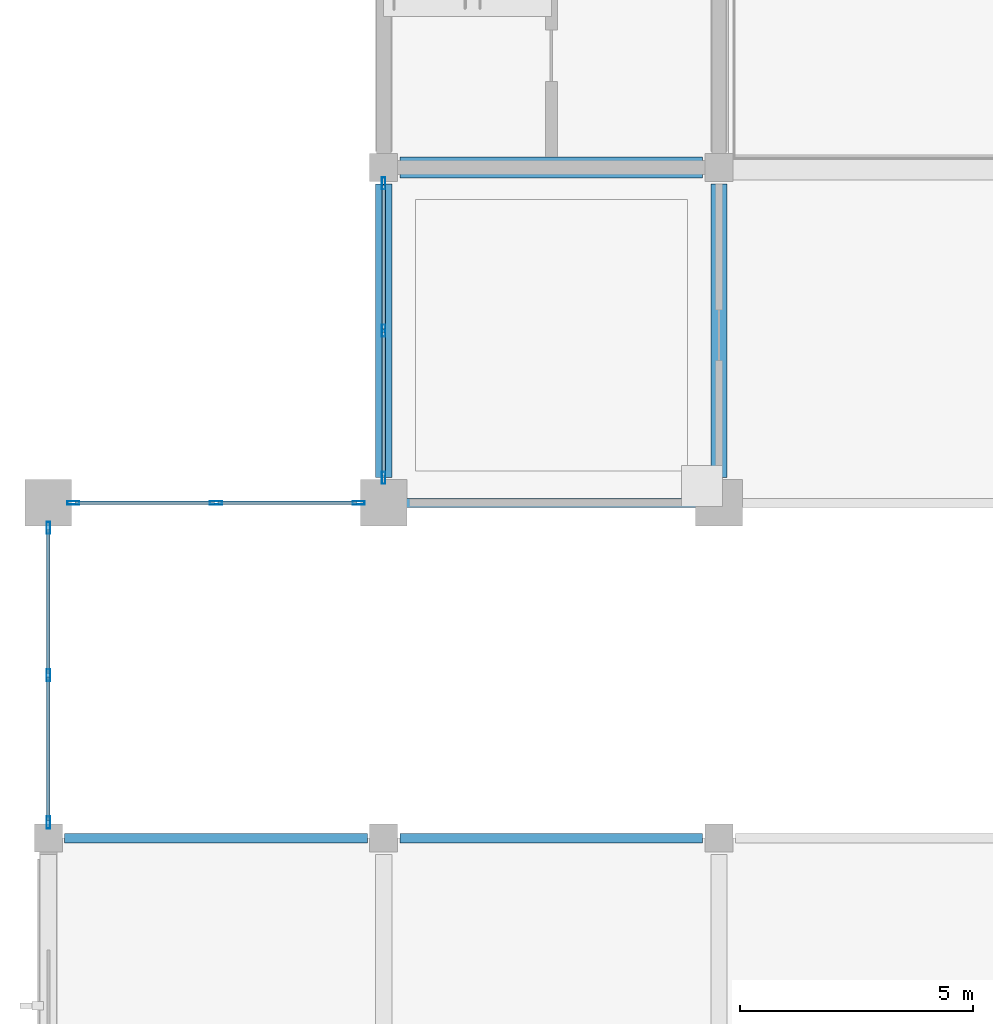
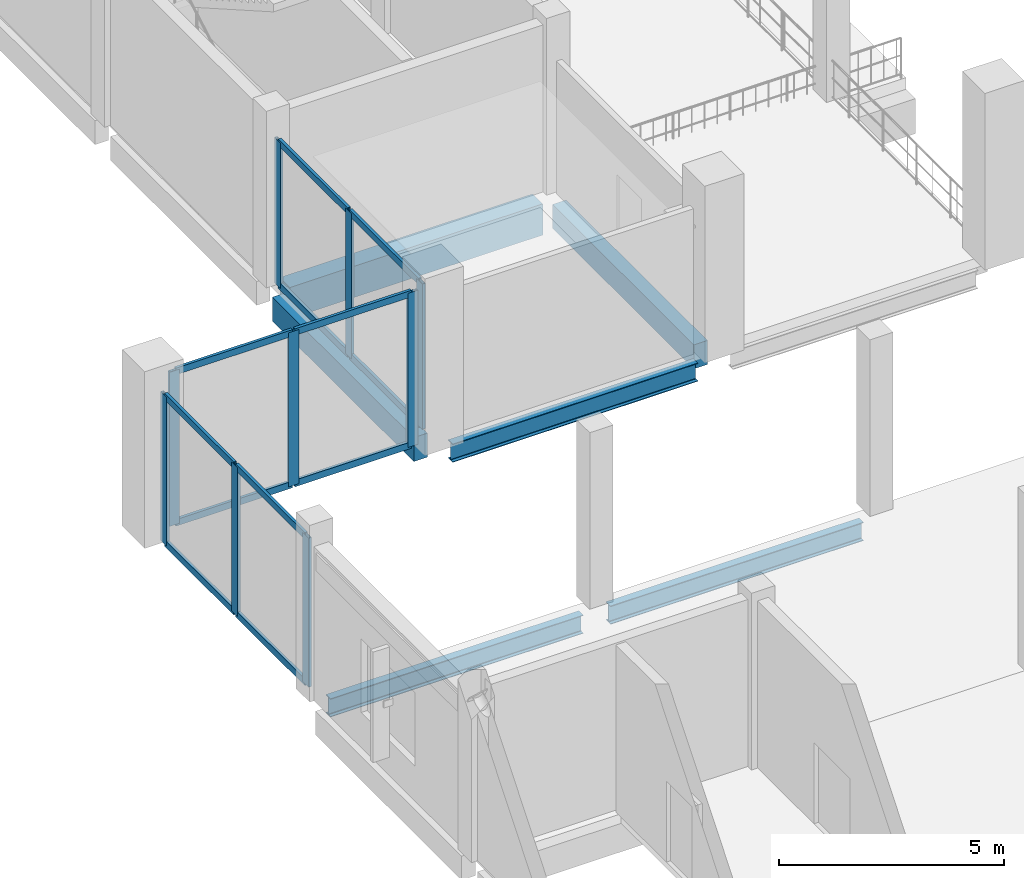
# One storey, part 24 of 99: 21 members, 6 beams, 3 elements without a shape of their own.
"""IFC4 building model written with IfcOpenShell, lengths in metres."""

from ifc_helpers import new_model, si_unit, direction, frame, origin, origin_2d, place, context, subcontext, project, spatial, rectangle, hollow_rectangle, i_section, extrude, material, material_profile, profile_set, type_object, element, aggregate, save


model = new_model("IFC4")

# Units and contexts
model_context = context("Model", 3, precision=1e-05, world=origin(), true_north=direction((0.0, 1.0)))
body_context = subcontext(model_context, "Body", "Model", "MODEL_VIEW")
ifc_project = project(units=[si_unit("LENGTHUNIT", "METRE"), si_unit("AREAUNIT", "SQUARE_METRE"), si_unit("VOLUMEUNIT", "CUBIC_METRE"), si_unit("PLANEANGLEUNIT", "RADIAN"), si_unit("MASSUNIT", "GRAM", prefix="KILO")], contexts=[model_context])

# Site, building, storey
site_placement = place(None, origin())
site = spatial("IfcSite", under=ifc_project, at=site_placement, CompositionType="ELEMENT")
building_placement = place(site_placement, origin())
building = spatial("IfcBuilding", under=site, at=building_placement, Name="Vesperath Aquatics Centre", CompositionType="ELEMENT")
storey_placement = place(building_placement, frame((0.0, 0.0, 5.39990234375)))
storey = spatial("IfcBuildingStorey", under=building, at=storey_placement, Name="L01", CompositionType="ELEMENT", Elevation=5.39990234375)

# Beams
ifc_material_1 = material(Name="Concrete C35", Category="concrete")
ifc_material_profile_1 = material_profile(ifc_material_1, rectangle(XDim=0.449951171875, YDim=0.85009765625, at=origin_2d()), Name="RC 450x850")
ifc_profile_set_1 = profile_set([ifc_material_profile_1], Name="Concrete C35")
beam_type_1 = type_object("IfcBeamType", Name="BM-G03", PredefinedType="BEAM", material=ifc_profile_set_1)
beam_1_placement = place(storey_placement, frame((7.550048828125, 93.60009765625, -0.684814453125), z_axis=(1.0, 0.0, 0.0), x_axis=(0.0, 1.0, 0.0)))
element("IfcBeam", 1, at=beam_1_placement, inside=storey, type_object=beam_type_1, Name="Floor Girder B03 L01 P 2-3", PredefinedType="BEAM", context=body_context, shape_type="SweptSolid", body=[
    extrude(rectangle(XDim=0.449951171875, YDim=0.85009765625, at=origin_2d()), origin(), (0.0, 0.0, 1.0), 6.5),
])
ifc_material_profile_2 = material_profile(ifc_material_1, rectangle(XDim=0.35009765625, YDim=0.64990234375, at=origin_2d()), Name="RC 350x650")
ifc_profile_set_2 = profile_set([ifc_material_profile_2], Name="Concrete C35")
beam_type_2 = type_object("IfcBeamType", Name="BM-G05", PredefinedType="BEAM", material=ifc_profile_set_2)
for number, where, z_axis, x_axis, name in (
    (2, (7.199951171875, 86.949951171875, -0.5849609375), (0.0, 1.0, 0.0), (-1.0, 0.0, 0.0), "Floor Girder B05 L01 2 N-P"),
    (3, (14.39990234375, 86.949951171875, -0.5849609375), (0.0, 1.0, 0.0), (-1.0, 0.0, 0.0), "Floor Girder B05 L01 3 N-P"),
):
    element("IfcBeam", number, at=place(storey_placement, frame(where, z_axis=z_axis, x_axis=x_axis)), inside=storey, type_object=beam_type_2, Name=name, PredefinedType="BEAM", context=body_context, shape_type="SweptSolid", body=[
        extrude(rectangle(XDim=0.35009765625, YDim=0.64990234375, at=origin_2d()), origin(), (0.0, 0.0, 1.0), 6.300048828125),
    ])
ifc_material_2 = material(Name="Steel Q355D", Category="steel")
ifc_material_profile_3 = material_profile(ifc_material_2, i_section(OverallWidth=0.199951171875, OverallDepth=0.5, WebThickness=0.010009765625, FlangeThickness=0.01611328125, FilletRadius=0.02001953125, at=origin_2d()), Name="HN 500x200x10x16")
ifc_profile_set_3 = profile_set([ifc_material_profile_3], Name="Steel Q355D")
beam_type_3 = type_object("IfcBeamType", Name="BM-SP01", PredefinedType="SPANDREL", material=ifc_profile_set_3)
for number, where, z_axis, x_axis, name in (
    (4, (0.35009765625, 79.199951171875, -0.510009765625), (1.0, 0.0, 0.0), (0.0, 1.0, 0.0), "Floor Girder SP01 L01 M 1-2"),
    (5, (7.550048828125, 79.199951171875, -0.510009765625), (1.0, 0.0, 0.0), (0.0, 1.0, 0.0), "Floor Girder SP01 L01 M 2-3"),
):
    element("IfcBeam", number, at=place(storey_placement, frame(where, z_axis=z_axis, x_axis=x_axis)), inside=storey, type_object=beam_type_3, Name=name, PredefinedType="SPANDREL", context=body_context, shape_type="SweptSolid", body=[
        extrude(i_section(OverallWidth=0.199951171875, OverallDepth=0.5, WebThickness=0.010009765625, FlangeThickness=0.01611328125, FilletRadius=0.02001953125, at=origin_2d()), origin(), (0.0, 0.0, 1.0), 6.5),
    ])
beam_2_placement = place(storey_placement, frame((7.64990234375, 86.39990234375, -0.510009765625), z_axis=(1.0, 0.0, 0.0), x_axis=(0.0, 1.0, 0.0)))
element("IfcBeam", 6, at=beam_2_placement, inside=storey, type_object=beam_type_3, Name="Floor Girder SP01 L01 N 2-3", PredefinedType="SPANDREL", context=body_context, shape_type="SweptSolid", body=[
    extrude(i_section(OverallWidth=0.199951171875, OverallDepth=0.5, WebThickness=0.010009765625, FlangeThickness=0.01611328125, FilletRadius=0.02001953125, at=origin_2d()), origin(), (0.0, 0.0, 1.0), 6.300048828125),
])

# Curtain wall, members
ifc_material_3 = material(Name="Thermally broken anodised bronze aluminium curtain wall", Category="aluminium")
curtain_wall_type_1 = type_object("IfcCurtainWallType", Name="CW-02", PredefinedType="NOTDEFINED", material=ifc_material_3)
curtain_wall_1_placement = place(storey_placement, origin())
curtain_wall_1 = element("IfcCurtainWall", 7, at=curtain_wall_1_placement, inside=storey, type_object=curtain_wall_type_1, Name="Facade Curtain Wall CW02 L01_N_00_12", PredefinedType="NOTDEFINED")
ifc_material_4 = material(Name="Thermally broken anodised aluminium", Category="aluminium")
ifc_material_profile_4 = material_profile(ifc_material_4, hollow_rectangle(XDim=0.074951171875, YDim=0.260009765625, WallThickness=0.006103515625, at=origin_2d()), Name="CWM 75x260x6")
ifc_profile_set_4 = profile_set([ifc_material_profile_4], Name="Thermally broken anodised aluminium")
member_type_1 = type_object("IfcMemberType", Name="MB-CWM1", PredefinedType="MULLION", material=ifc_profile_set_4)
member_1_placement = place(storey_placement, frame((0.53759765625, 86.39990234375, 0.0), z_axis=(0.0, 0.0, 1.0), x_axis=(0.0, 1.0, 0.0)))
member_1 = element("IfcMember", 8, at=member_1_placement, type_object=member_type_1, Name="CW02 mullion 1", PredefinedType="MULLION", context=body_context, shape_type="SweptSolid", body=[
    extrude(hollow_rectangle(XDim=0.074951171875, YDim=0.260009765625, WallThickness=0.006103515625, at=origin_2d()), origin(), (0.0, 0.0, 1.0), 4.190185546875),
])
member_2_placement = place(storey_placement, frame((3.60009765625, 86.39990234375, 0.0), z_axis=(0.0, 0.0, 1.0), x_axis=(0.0, 1.0, 0.0)))
member_2 = element("IfcMember", 9, at=member_2_placement, type_object=member_type_1, Name="CW02 mullion 2", PredefinedType="MULLION", context=body_context, shape_type="SweptSolid", body=[
    extrude(hollow_rectangle(XDim=0.074951171875, YDim=0.260009765625, WallThickness=0.006103515625, at=origin_2d()), origin(), (0.0, 0.0, 1.0), 4.190185546875),
])
member_3_placement = place(storey_placement, frame((6.66259765625, 86.39990234375, 0.0), z_axis=(0.0, 0.0, 1.0), x_axis=(0.0, 1.0, 0.0)))
member_3 = element("IfcMember", 10, at=member_3_placement, type_object=member_type_1, Name="CW02 mullion 3", PredefinedType="MULLION", context=body_context, shape_type="SweptSolid", body=[
    extrude(hollow_rectangle(XDim=0.074951171875, YDim=0.260009765625, WallThickness=0.006103515625, at=origin_2d()), origin(), (0.0, 0.0, 1.0), 4.190185546875),
])

curtain_wall_type_2 = type_object("IfcCurtainWallType", Name="CW-06", PredefinedType="NOTDEFINED", material=ifc_material_3)
curtain_wall_2_placement = place(storey_placement, origin())
curtain_wall_2 = element("IfcCurtainWall", 11, at=curtain_wall_2_placement, inside=storey, type_object=curtain_wall_type_2, Name="Facade Curtain Wall CW06 L01_W_00_11", PredefinedType="NOTDEFINED")
member_4_placement = place(storey_placement, frame((0.0, 79.53759765625, 0.0), z_axis=(0.0, 0.0, 1.0), x_axis=(-1.0, 0.0, 0.0)))
member_4 = element("IfcMember", 12, at=member_4_placement, type_object=member_type_1, Name="CW06 mullion 1", PredefinedType="MULLION", context=body_context, shape_type="SweptSolid", body=[
    extrude(hollow_rectangle(XDim=0.074951171875, YDim=0.260009765625, WallThickness=0.006103515625, at=origin_2d()), origin(), (0.0, 0.0, 1.0), 4.052001953125),
])
member_5_placement = place(storey_placement, frame((0.0, 82.699951171875, 0.0), z_axis=(0.0, 0.0, 1.0), x_axis=(-1.0, 0.0, 0.0)))
member_5 = element("IfcMember", 13, at=member_5_placement, type_object=member_type_1, Name="CW06 mullion 2", PredefinedType="MULLION", context=body_context, shape_type="SweptSolid", body=[
    extrude(hollow_rectangle(XDim=0.074951171875, YDim=0.260009765625, WallThickness=0.006103515625, at=origin_2d()), origin(), (0.0, 0.0, 1.0), 4.052001953125),
])
member_6_placement = place(storey_placement, frame((0.0, 85.862548828125, 0.0), z_axis=(0.0, 0.0, 1.0), x_axis=(-1.0, 0.0, 0.0)))
member_6 = element("IfcMember", 14, at=member_6_placement, type_object=member_type_1, Name="CW06 mullion 3", PredefinedType="MULLION", context=body_context, shape_type="SweptSolid", body=[
    extrude(hollow_rectangle(XDim=0.074951171875, YDim=0.260009765625, WallThickness=0.006103515625, at=origin_2d()), origin(), (0.0, 0.0, 1.0), 4.052001953125),
])

curtain_wall_3_placement = place(storey_placement, origin())
curtain_wall_3 = element("IfcCurtainWall", 15, at=curtain_wall_3_placement, inside=storey, type_object=curtain_wall_type_1, Name="Facade Curtain Wall CW02 L01_W_01_12", PredefinedType="NOTDEFINED")
member_7_placement = place(storey_placement, frame((7.199951171875, 86.9375, 0.0), z_axis=(0.0, 0.0, 1.0), x_axis=(-1.0, 0.0, 0.0)))
member_7 = element("IfcMember", 16, at=member_7_placement, type_object=member_type_1, Name="CW02 mullion 1", PredefinedType="MULLION", context=body_context, shape_type="SweptSolid", body=[
    extrude(hollow_rectangle(XDim=0.074951171875, YDim=0.260009765625, WallThickness=0.006103515625, at=origin_2d()), origin(), (0.0, 0.0, 1.0), 3.9521484375),
])
member_8_placement = place(storey_placement, frame((7.199951171875, 90.10009765625, 0.0), z_axis=(0.0, 0.0, 1.0), x_axis=(-1.0, 0.0, 0.0)))
member_8 = element("IfcMember", 17, at=member_8_placement, type_object=member_type_1, Name="CW02 mullion 2", PredefinedType="MULLION", context=body_context, shape_type="SweptSolid", body=[
    extrude(hollow_rectangle(XDim=0.074951171875, YDim=0.260009765625, WallThickness=0.006103515625, at=origin_2d()), origin(), (0.0, 0.0, 1.0), 3.9521484375),
])
member_9_placement = place(storey_placement, frame((7.199951171875, 93.262451171875, 0.0), z_axis=(0.0, 0.0, 1.0), x_axis=(-1.0, 0.0, 0.0)))
member_9 = element("IfcMember", 18, at=member_9_placement, type_object=member_type_1, Name="CW02 mullion 3", PredefinedType="MULLION", context=body_context, shape_type="SweptSolid", body=[
    extrude(hollow_rectangle(XDim=0.074951171875, YDim=0.260009765625, WallThickness=0.006103515625, at=origin_2d()), origin(), (0.0, 0.0, 1.0), 3.9521484375),
])

# Member
ifc_material_profile_5 = material_profile(ifc_material_4, hollow_rectangle(XDim=0.074951171875, YDim=0.179931640625, WallThickness=0.0048828125, at=origin_2d()), Name="CWT 75x180x5")
ifc_profile_set_5 = profile_set([ifc_material_profile_5], Name="Thermally broken anodised aluminium")
member_type_2 = type_object("IfcMemberType", Name="MB-CWT1", PredefinedType="USERDEFINED", material=ifc_profile_set_5)
member_10_placement = place(storey_placement, frame((0.574951171875, 86.39990234375, 0.03759765625), z_axis=(1.0, 0.0, 0.0), x_axis=(0.0, 1.0, 0.0)))
member_10 = element("IfcMember", 19, at=member_10_placement, type_object=member_type_2, Name="CW02 transom 1.1", ObjectType="TRANSOM", PredefinedType="USERDEFINED", context=body_context, shape_type="SweptSolid", body=[
    extrude(hollow_rectangle(XDim=0.074951171875, YDim=0.179931640625, WallThickness=0.0048828125, at=origin_2d()), origin(), (0.0, 0.0, 1.0), 2.987548828125),
])

member_11_placement = place(storey_placement, frame((0.574951171875, 86.39990234375, 4.152587890625), z_axis=(1.0, 0.0, 0.0), x_axis=(0.0, 1.0, 0.0)))
member_11 = element("IfcMember", 20, at=member_11_placement, type_object=member_type_2, Name="CW02 transom 1.2", ObjectType="TRANSOM", PredefinedType="USERDEFINED", context=body_context, shape_type="SweptSolid", body=[
    extrude(hollow_rectangle(XDim=0.074951171875, YDim=0.179931640625, WallThickness=0.0048828125, at=origin_2d()), origin(), (0.0, 0.0, 1.0), 2.987548828125),
])

member_12_placement = place(storey_placement, frame((3.637451171875, 86.39990234375, 0.03759765625), z_axis=(1.0, 0.0, 0.0), x_axis=(0.0, 1.0, 0.0)))
member_12 = element("IfcMember", 21, at=member_12_placement, type_object=member_type_2, Name="CW02 transom 2.1", ObjectType="TRANSOM", PredefinedType="USERDEFINED", context=body_context, shape_type="SweptSolid", body=[
    extrude(hollow_rectangle(XDim=0.074951171875, YDim=0.179931640625, WallThickness=0.0048828125, at=origin_2d()), origin(), (0.0, 0.0, 1.0), 2.987548828125),
])

member_13_placement = place(storey_placement, frame((3.637451171875, 86.39990234375, 4.152587890625), z_axis=(1.0, 0.0, 0.0), x_axis=(0.0, 1.0, 0.0)))
member_13 = element("IfcMember", 22, at=member_13_placement, type_object=member_type_2, Name="CW02 transom 2.2", ObjectType="TRANSOM", PredefinedType="USERDEFINED", context=body_context, shape_type="SweptSolid", body=[
    extrude(hollow_rectangle(XDim=0.074951171875, YDim=0.179931640625, WallThickness=0.0048828125, at=origin_2d()), origin(), (0.0, 0.0, 1.0), 2.987548828125),
])

aggregate(curtain_wall_1, [member_1, member_2, member_3, member_10, member_11, member_12, member_13])

member_14_placement = place(storey_placement, frame((0.0, 79.574951171875, 0.03759765625), z_axis=(0.0, 1.0, 0.0), x_axis=(-1.0, 0.0, 0.0)))
member_14 = element("IfcMember", 23, at=member_14_placement, type_object=member_type_2, Name="CW06 transom 1.1", ObjectType="TRANSOM", PredefinedType="USERDEFINED", context=body_context, shape_type="SweptSolid", body=[
    extrude(hollow_rectangle(XDim=0.074951171875, YDim=0.179931640625, WallThickness=0.0048828125, at=origin_2d()), origin(), (0.0, 0.0, 1.0), 3.087646484375),
])

member_15_placement = place(storey_placement, frame((0.0, 79.574951171875, 4.0146484375), z_axis=(0.0, 1.0, 0.0), x_axis=(-1.0, 0.0, 0.0)))
member_15 = element("IfcMember", 24, at=member_15_placement, type_object=member_type_2, Name="CW06 transom 1.2", ObjectType="TRANSOM", PredefinedType="USERDEFINED", context=body_context, shape_type="SweptSolid", body=[
    extrude(hollow_rectangle(XDim=0.074951171875, YDim=0.179931640625, WallThickness=0.0048828125, at=origin_2d()), origin(), (0.0, 0.0, 1.0), 3.087646484375),
])

member_16_placement = place(storey_placement, frame((0.0, 82.737548828125, 0.03759765625), z_axis=(0.0, 1.0, 0.0), x_axis=(-1.0, 0.0, 0.0)))
member_16 = element("IfcMember", 25, at=member_16_placement, type_object=member_type_2, Name="CW06 transom 2.1", ObjectType="TRANSOM", PredefinedType="USERDEFINED", context=body_context, shape_type="SweptSolid", body=[
    extrude(hollow_rectangle(XDim=0.074951171875, YDim=0.179931640625, WallThickness=0.0048828125, at=origin_2d()), origin(), (0.0, 0.0, 1.0), 3.08740234375),
])

member_17_placement = place(storey_placement, frame((0.0, 82.737548828125, 4.0146484375), z_axis=(0.0, 1.0, 0.0), x_axis=(-1.0, 0.0, 0.0)))
member_17 = element("IfcMember", 26, at=member_17_placement, type_object=member_type_2, Name="CW06 transom 2.2", ObjectType="TRANSOM", PredefinedType="USERDEFINED", context=body_context, shape_type="SweptSolid", body=[
    extrude(hollow_rectangle(XDim=0.074951171875, YDim=0.179931640625, WallThickness=0.0048828125, at=origin_2d()), origin(), (0.0, 0.0, 1.0), 3.08740234375),
])

aggregate(curtain_wall_2, [member_4, member_5, member_6, member_14, member_15, member_16, member_17])

member_18_placement = place(storey_placement, frame((7.199951171875, 86.97509765625, 0.03759765625), z_axis=(0.0, 1.0, 0.0), x_axis=(-1.0, 0.0, 0.0)))
member_18 = element("IfcMember", 27, at=member_18_placement, type_object=member_type_2, Name="CW02 transom 1.1", ObjectType="TRANSOM", PredefinedType="USERDEFINED", context=body_context, shape_type="SweptSolid", body=[
    extrude(hollow_rectangle(XDim=0.074951171875, YDim=0.179931640625, WallThickness=0.0048828125, at=origin_2d()), origin(), (0.0, 0.0, 1.0), 3.08740234375),
])

member_19_placement = place(storey_placement, frame((7.199951171875, 86.97509765625, 3.91455078125), z_axis=(0.0, 1.0, 0.0), x_axis=(-1.0, 0.0, 0.0)))
member_19 = element("IfcMember", 28, at=member_19_placement, type_object=member_type_2, Name="CW02 transom 1.2", ObjectType="TRANSOM", PredefinedType="USERDEFINED", context=body_context, shape_type="SweptSolid", body=[
    extrude(hollow_rectangle(XDim=0.074951171875, YDim=0.179931640625, WallThickness=0.0048828125, at=origin_2d()), origin(), (0.0, 0.0, 1.0), 3.08740234375),
])

member_20_placement = place(storey_placement, frame((7.199951171875, 90.137451171875, 0.03759765625), z_axis=(0.0, 1.0, 0.0), x_axis=(-1.0, 0.0, 0.0)))
member_20 = element("IfcMember", 29, at=member_20_placement, type_object=member_type_2, Name="CW02 transom 2.1", ObjectType="TRANSOM", PredefinedType="USERDEFINED", context=body_context, shape_type="SweptSolid", body=[
    extrude(hollow_rectangle(XDim=0.074951171875, YDim=0.179931640625, WallThickness=0.0048828125, at=origin_2d()), origin(), (0.0, 0.0, 1.0), 3.087646484375),
])

member_21_placement = place(storey_placement, frame((7.199951171875, 90.137451171875, 3.91455078125), z_axis=(0.0, 1.0, 0.0), x_axis=(-1.0, 0.0, 0.0)))
member_21 = element("IfcMember", 30, at=member_21_placement, type_object=member_type_2, Name="CW02 transom 2.2", ObjectType="TRANSOM", PredefinedType="USERDEFINED", context=body_context, shape_type="SweptSolid", body=[
    extrude(hollow_rectangle(XDim=0.074951171875, YDim=0.179931640625, WallThickness=0.0048828125, at=origin_2d()), origin(), (0.0, 0.0, 1.0), 3.087646484375),
])

aggregate(curtain_wall_3, [member_7, member_8, member_9, member_18, member_19, member_20, member_21])

save(model, "model.ifc")
